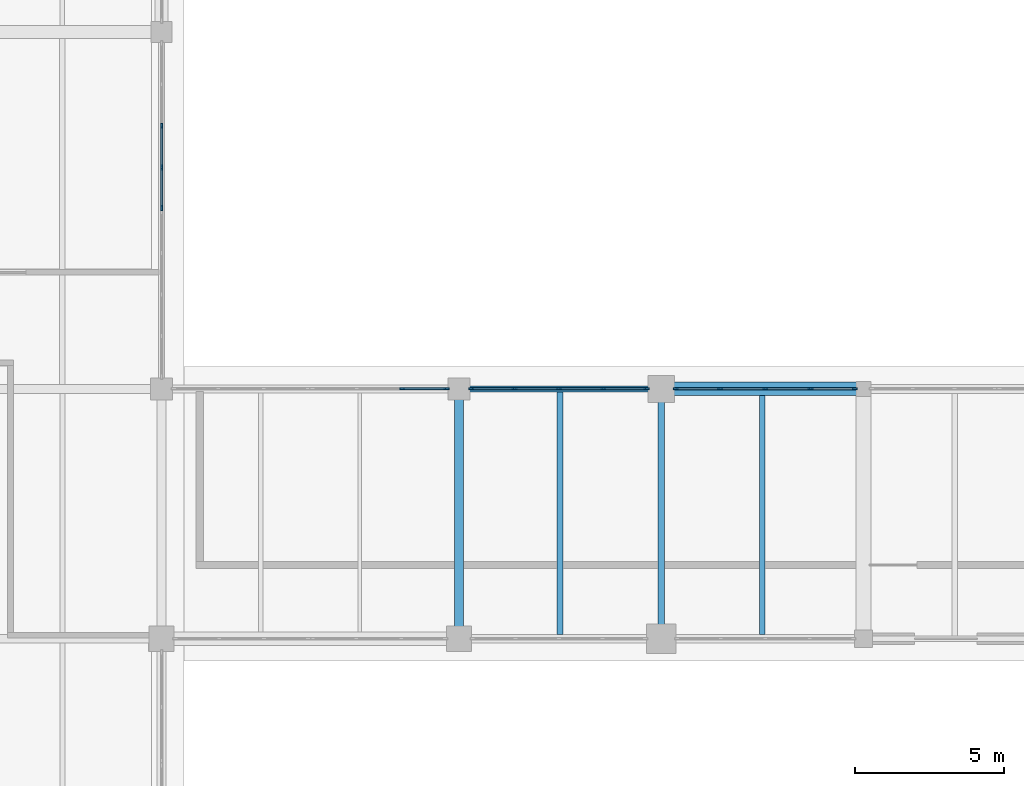
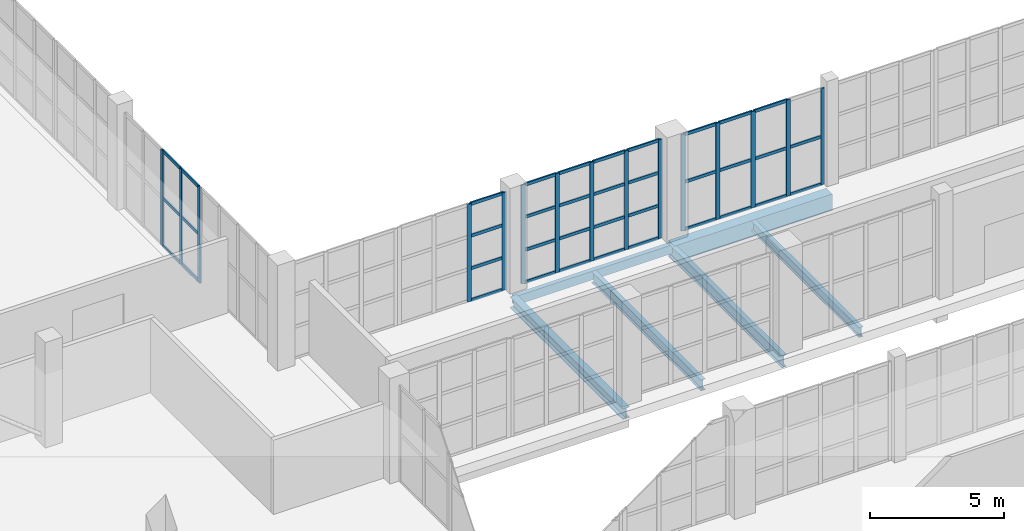
# One storey, part 52 of 121: 52 members, 6 beams, 4 elements without a shape of their own.
"""IFC4 building model written with IfcOpenShell, lengths in metres."""

from ifc_helpers import new_model, si_unit, direction, frame, origin, origin_2d, place, context, subcontext, project, spatial, rectangle, hollow_rectangle, i_section, extrude, material, layer, layer_set, material_profile, profile_set, type_object, element, aggregate, save


model = new_model("IFC4")

# Units and contexts
model_context = context("Model", 3, precision=1e-05, world=origin(), true_north=direction((0.0, 1.0)))
body_context = subcontext(model_context, "Body", "Model", "MODEL_VIEW")
ifc_project = project(units=[si_unit("LENGTHUNIT", "METRE"), si_unit("AREAUNIT", "SQUARE_METRE"), si_unit("VOLUMEUNIT", "CUBIC_METRE"), si_unit("PLANEANGLEUNIT", "RADIAN"), si_unit("MASSUNIT", "GRAM", prefix="KILO")], contexts=[model_context])

# Site, building, storey
site_placement = place(None, origin())
site = spatial("IfcSite", under=ifc_project, at=site_placement, CompositionType="ELEMENT")
building_placement = place(site_placement, origin())
building = spatial("IfcBuilding", under=site, at=building_placement, Name="Zereglee Splitstone Museum", CompositionType="ELEMENT")
storey_placement = place(building_placement, origin())
storey = spatial("IfcBuildingStorey", under=building, at=storey_placement, Name="L00", CompositionType="ELEMENT", Elevation=0.0)

# Curtain wall, members
ifc_material_1 = material(Name="Triple-glazed low-E argon glass and bronze-anodised aluminium", Category="aluminium")
ifc_layer_1 = layer(ifc_material_1, 0.179931640625)
ifc_layer_set_1 = layer_set([ifc_layer_1], Name="Triple-glazed low-E argon glass and bronze-anodised aluminium")
curtain_wall_type_1 = type_object("IfcCurtainWallType", Name="CW-0608-438", PredefinedType="USERDEFINED", material=ifc_layer_set_1)
curtain_wall_1_placement = place(storey_placement, origin())
curtain_wall_1 = element("IfcCurtainWall", 1, at=curtain_wall_1_placement, inside=storey, type_object=curtain_wall_type_1, Name="Glazed Curtain Wall CW-0608-438 (L00)", ObjectType="GLAZED CURTAIN WALL", PredefinedType="USERDEFINED")
ifc_material_2 = material(Name="Thermally broken bronze-anodised aluminium", Category="aluminium")
ifc_material_profile_1 = material_profile(ifc_material_2, rectangle(XDim=0.06494140625, YDim=0.179931640625, at=origin_2d()), Name="CW MULL 65x180")
ifc_profile_set_1 = profile_set([ifc_material_profile_1], Name="Thermally broken bronze-anodised aluminium")
member_type_1 = type_object("IfcMemberType", Name="CWM-01", PredefinedType="MULLION", material=ifc_profile_set_1)
member_1_placement = place(storey_placement, frame((228.509521484375, 38.39990234375, 0.0), z_axis=(0.0, 0.0, 1.0), x_axis=(0.0, -1.0, 0.0)))
member_1 = element("IfcMember", 2, at=member_1_placement, type_object=member_type_1, Name="CW-0608-438 mullion 1", PredefinedType="MULLION", context=body_context, shape_type="SweptSolid", body=[
    extrude(rectangle(XDim=0.06494140625, YDim=0.179931640625, at=origin_2d()), origin(), (0.0, 0.0, 1.0), 4.3798828125),
])
member_2_placement = place(storey_placement, frame((227.02099609375, 38.39990234375, 0.0), z_axis=(0.0, 0.0, 1.0), x_axis=(0.0, -1.0, 0.0)))
member_2 = element("IfcMember", 3, at=member_2_placement, type_object=member_type_1, Name="CW-0608-438 mullion 2", PredefinedType="MULLION", context=body_context, shape_type="SweptSolid", body=[
    extrude(rectangle(XDim=0.06494140625, YDim=0.179931640625, at=origin_2d()), origin(), (0.0, 0.0, 1.0), 4.3798828125),
])
member_3_placement = place(storey_placement, frame((225.5, 38.39990234375, 0.0), z_axis=(0.0, 0.0, 1.0), x_axis=(0.0, -1.0, 0.0)))
member_3 = element("IfcMember", 4, at=member_3_placement, type_object=member_type_1, Name="CW-0608-438 mullion 3", PredefinedType="MULLION", context=body_context, shape_type="SweptSolid", body=[
    extrude(rectangle(XDim=0.06494140625, YDim=0.179931640625, at=origin_2d()), origin(), (0.0, 0.0, 1.0), 4.3798828125),
])
member_4_placement = place(storey_placement, frame((223.97900390625, 38.39990234375, 0.0), z_axis=(0.0, 0.0, 1.0), x_axis=(0.0, -1.0, 0.0)))
member_4 = element("IfcMember", 5, at=member_4_placement, type_object=member_type_1, Name="CW-0608-438 mullion 4", PredefinedType="MULLION", context=body_context, shape_type="SweptSolid", body=[
    extrude(rectangle(XDim=0.06494140625, YDim=0.179931640625, at=origin_2d()), origin(), (0.0, 0.0, 1.0), 4.3798828125),
])
member_5_placement = place(storey_placement, frame((222.490478515625, 38.39990234375, 0.0), z_axis=(0.0, 0.0, 1.0), x_axis=(0.0, -1.0, 0.0)))
member_5 = element("IfcMember", 6, at=member_5_placement, type_object=member_type_1, Name="CW-0608-438 mullion 5", PredefinedType="MULLION", context=body_context, shape_type="SweptSolid", body=[
    extrude(rectangle(XDim=0.06494140625, YDim=0.179931640625, at=origin_2d()), origin(), (0.0, 0.0, 1.0), 4.3798828125),
])

ifc_layer_2 = layer(ifc_material_1, 0.179931640625)
ifc_layer_set_2 = layer_set([ifc_layer_2], Name="Triple-glazed low-E argon glass and bronze-anodised aluminium")
curtain_wall_type_2 = type_object("IfcCurtainWallType", Name="CW-0596-450", PredefinedType="USERDEFINED", material=ifc_layer_set_2)
curtain_wall_2_placement = place(storey_placement, origin())
curtain_wall_2 = element("IfcCurtainWall", 7, at=curtain_wall_2_placement, inside=storey, type_object=curtain_wall_type_2, Name="Glazed Curtain Wall CW-0596-450 (L00)", ObjectType="GLAZED CURTAIN WALL", PredefinedType="USERDEFINED")
member_6_placement = place(storey_placement, frame((221.509521484375, 38.39990234375, 0.0), z_axis=(0.0, 0.0, 1.0), x_axis=(0.0, -1.0, 0.0)))
member_6 = element("IfcMember", 8, at=member_6_placement, type_object=member_type_1, Name="CW-0596-450 mullion 1", PredefinedType="MULLION", context=body_context, shape_type="SweptSolid", body=[
    extrude(rectangle(XDim=0.06494140625, YDim=0.179931640625, at=origin_2d()), origin(), (0.0, 0.0, 1.0), 4.5),
])
member_7_placement = place(storey_placement, frame((220.05224609375, 38.39990234375, 0.0), z_axis=(0.0, 0.0, 1.0), x_axis=(0.0, -1.0, 0.0)))
member_7 = element("IfcMember", 9, at=member_7_placement, type_object=member_type_1, Name="CW-0596-450 mullion 2", PredefinedType="MULLION", context=body_context, shape_type="SweptSolid", body=[
    extrude(rectangle(XDim=0.06494140625, YDim=0.179931640625, at=origin_2d()), origin(), (0.0, 0.0, 1.0), 4.5),
])
member_8_placement = place(storey_placement, frame((218.5625, 38.39990234375, 0.0), z_axis=(0.0, 0.0, 1.0), x_axis=(0.0, -1.0, 0.0)))
member_8 = element("IfcMember", 10, at=member_8_placement, type_object=member_type_1, Name="CW-0596-450 mullion 3", PredefinedType="MULLION", context=body_context, shape_type="SweptSolid", body=[
    extrude(rectangle(XDim=0.06494140625, YDim=0.179931640625, at=origin_2d()), origin(), (0.0, 0.0, 1.0), 4.5),
])
member_9_placement = place(storey_placement, frame((217.07275390625, 38.39990234375, 0.0), z_axis=(0.0, 0.0, 1.0), x_axis=(0.0, -1.0, 0.0)))
member_9 = element("IfcMember", 11, at=member_9_placement, type_object=member_type_1, Name="CW-0596-450 mullion 4", PredefinedType="MULLION", context=body_context, shape_type="SweptSolid", body=[
    extrude(rectangle(XDim=0.06494140625, YDim=0.179931640625, at=origin_2d()), origin(), (0.0, 0.0, 1.0), 4.5),
])
member_10_placement = place(storey_placement, frame((215.615478515625, 38.39990234375, 0.0), z_axis=(0.0, 0.0, 1.0), x_axis=(0.0, -1.0, 0.0)))
member_10 = element("IfcMember", 12, at=member_10_placement, type_object=member_type_1, Name="CW-0596-450 mullion 5", PredefinedType="MULLION", context=body_context, shape_type="SweptSolid", body=[
    extrude(rectangle(XDim=0.06494140625, YDim=0.179931640625, at=origin_2d()), origin(), (0.0, 0.0, 1.0), 4.5),
])

ifc_layer_3 = layer(ifc_material_1, 0.179931640625)
ifc_layer_set_3 = layer_set([ifc_layer_3], Name="Triple-glazed low-E argon glass and bronze-anodised aluminium")
curtain_wall_type_3 = type_object("IfcCurtainWallType", Name="CW-0458-444", PredefinedType="USERDEFINED", material=ifc_layer_set_3)
curtain_wall_3_placement = place(storey_placement, origin())
curtain_wall_3 = element("IfcCurtainWall", 13, at=curtain_wall_3_placement, inside=storey, type_object=curtain_wall_type_3, Name="Glazed Curtain Wall CW-0458-444 (L00)", ObjectType="GLAZED CURTAIN WALL", PredefinedType="USERDEFINED")
member_11_placement = place(storey_placement, frame((214.784423828125, 38.39990234375, 0.0), z_axis=(0.0, 0.0, 1.0), x_axis=(0.0, -1.0, 0.0)))
member_11 = element("IfcMember", 14, at=member_11_placement, type_object=member_type_1, Name="CW-0458-444 mullion 1", PredefinedType="MULLION", context=body_context, shape_type="SweptSolid", body=[
    extrude(rectangle(XDim=0.06494140625, YDim=0.179931640625, at=origin_2d()), origin(), (0.0, 0.0, 1.0), 4.43994140625),
])
member_12_placement = place(storey_placement, frame((213.291259765625, 38.39990234375, 0.0), z_axis=(0.0, 0.0, 1.0), x_axis=(0.0, -1.0, 0.0)))
member_12 = element("IfcMember", 15, at=member_12_placement, type_object=member_type_1, Name="CW-0458-444 mullion 2", PredefinedType="MULLION", context=body_context, shape_type="SweptSolid", body=[
    extrude(rectangle(XDim=0.06494140625, YDim=0.179931640625, at=origin_2d()), origin(), (0.0, 0.0, 1.0), 4.43994140625),
])

ifc_layer_4 = layer(ifc_material_1, 0.179931640625)
ifc_layer_set_4 = layer_set([ifc_layer_4], Name="Triple-glazed low-E argon glass and bronze-anodised aluminium")
curtain_wall_type_4 = type_object("IfcCurtainWallType", Name="CW-0559-436", PredefinedType="USERDEFINED", material=ifc_layer_set_4)
curtain_wall_4_placement = place(storey_placement, origin())
curtain_wall_4 = element("IfcCurtainWall", 16, at=curtain_wall_4_placement, inside=storey, type_object=curtain_wall_type_4, Name="Glazed Curtain Wall CW-0559-436 (L00)", ObjectType="GLAZED CURTAIN WALL", PredefinedType="USERDEFINED")
member_13_placement = place(storey_placement, frame((205.199951171875, 44.485107421875, 0.0), z_axis=(0.0, 0.0, 1.0), x_axis=(-1.0, 0.0, 0.0)))
member_13 = element("IfcMember", 17, at=member_13_placement, type_object=member_type_1, Name="CW-0559-436 mullion 1", PredefinedType="MULLION", context=body_context, shape_type="SweptSolid", body=[
    extrude(rectangle(XDim=0.06494140625, YDim=0.179931640625, at=origin_2d()), origin(), (0.0, 0.0, 1.0), 4.360107421875),
])
member_14_placement = place(storey_placement, frame((205.199951171875, 45.849853515625, 0.0), z_axis=(0.0, 0.0, 1.0), x_axis=(-1.0, 0.0, 0.0)))
member_14 = element("IfcMember", 18, at=member_14_placement, type_object=member_type_1, Name="CW-0559-436 mullion 2", PredefinedType="MULLION", context=body_context, shape_type="SweptSolid", body=[
    extrude(rectangle(XDim=0.06494140625, YDim=0.179931640625, at=origin_2d()), origin(), (0.0, 0.0, 1.0), 4.360107421875),
])
member_15_placement = place(storey_placement, frame((205.199951171875, 47.247314453125, 0.0), z_axis=(0.0, 0.0, 1.0), x_axis=(-1.0, 0.0, 0.0)))
member_15 = element("IfcMember", 19, at=member_15_placement, type_object=member_type_1, Name="CW-0559-436 mullion 3", PredefinedType="MULLION", context=body_context, shape_type="SweptSolid", body=[
    extrude(rectangle(XDim=0.06494140625, YDim=0.179931640625, at=origin_2d()), origin(), (0.0, 0.0, 1.0), 4.360107421875),
])

# Member
ifc_material_profile_2 = material_profile(ifc_material_2, rectangle(XDim=0.06494140625, YDim=0.139892578125, at=origin_2d()), Name="CW TRAN 65x140")
ifc_profile_set_2 = profile_set([ifc_material_profile_2], Name="Thermally broken bronze-anodised aluminium")
member_type_2 = type_object("IfcMemberType", Name="CWT-01", PredefinedType="USERDEFINED", material=ifc_profile_set_2)
member_16_placement = place(storey_placement, frame((228.47705078125, 38.39990234375, 0.032470703125), z_axis=(-1.0, 0.0, 0.0), x_axis=(0.0, -1.0, 0.0)))
member_16 = element("IfcMember", 20, at=member_16_placement, type_object=member_type_2, Name="CW-0608-438 transom 1.1", ObjectType="TRANSOM", PredefinedType="USERDEFINED", context=body_context, shape_type="SweptSolid", body=[
    extrude(rectangle(XDim=0.06494140625, YDim=0.139892578125, at=origin_2d()), origin(), (0.0, 0.0, 1.0), 1.423583984375),
])

member_17_placement = place(storey_placement, frame((228.47705078125, 38.39990234375, 2.18994140625), z_axis=(-1.0, 0.0, 0.0), x_axis=(0.0, -1.0, 0.0)))
member_17 = element("IfcMember", 21, at=member_17_placement, type_object=member_type_2, Name="CW-0608-438 transom 1.2", ObjectType="TRANSOM", PredefinedType="USERDEFINED", context=body_context, shape_type="SweptSolid", body=[
    extrude(rectangle(XDim=0.06494140625, YDim=0.139892578125, at=origin_2d()), origin(), (0.0, 0.0, 1.0), 1.423583984375),
])

member_18_placement = place(storey_placement, frame((226.988525390625, 38.39990234375, 0.032470703125), z_axis=(-1.0, 0.0, 0.0), x_axis=(0.0, -1.0, 0.0)))
member_18 = element("IfcMember", 22, at=member_18_placement, type_object=member_type_2, Name="CW-0608-438 transom 2.1", ObjectType="TRANSOM", PredefinedType="USERDEFINED", context=body_context, shape_type="SweptSolid", body=[
    extrude(rectangle(XDim=0.06494140625, YDim=0.139892578125, at=origin_2d()), origin(), (0.0, 0.0, 1.0), 1.4560546875),
])

member_19_placement = place(storey_placement, frame((226.988525390625, 38.39990234375, 2.18994140625), z_axis=(-1.0, 0.0, 0.0), x_axis=(0.0, -1.0, 0.0)))
member_19 = element("IfcMember", 23, at=member_19_placement, type_object=member_type_2, Name="CW-0608-438 transom 2.2", ObjectType="TRANSOM", PredefinedType="USERDEFINED", context=body_context, shape_type="SweptSolid", body=[
    extrude(rectangle(XDim=0.06494140625, YDim=0.139892578125, at=origin_2d()), origin(), (0.0, 0.0, 1.0), 1.4560546875),
])

member_20_placement = place(storey_placement, frame((226.988525390625, 38.39990234375, 4.347412109375), z_axis=(-1.0, 0.0, 0.0), x_axis=(0.0, -1.0, 0.0)))
member_20 = element("IfcMember", 24, at=member_20_placement, type_object=member_type_2, Name="CW-0608-438 transom 2.3", ObjectType="TRANSOM", PredefinedType="USERDEFINED", context=body_context, shape_type="SweptSolid", body=[
    extrude(rectangle(XDim=0.06494140625, YDim=0.139892578125, at=origin_2d()), origin(), (0.0, 0.0, 1.0), 1.4560546875),
])

member_21_placement = place(storey_placement, frame((225.467529296875, 38.39990234375, 0.032470703125), z_axis=(-1.0, 0.0, 0.0), x_axis=(0.0, -1.0, 0.0)))
member_21 = element("IfcMember", 25, at=member_21_placement, type_object=member_type_2, Name="CW-0608-438 transom 3.1", ObjectType="TRANSOM", PredefinedType="USERDEFINED", context=body_context, shape_type="SweptSolid", body=[
    extrude(rectangle(XDim=0.06494140625, YDim=0.139892578125, at=origin_2d()), origin(), (0.0, 0.0, 1.0), 1.4560546875),
])

member_22_placement = place(storey_placement, frame((225.467529296875, 38.39990234375, 2.18994140625), z_axis=(-1.0, 0.0, 0.0), x_axis=(0.0, -1.0, 0.0)))
member_22 = element("IfcMember", 26, at=member_22_placement, type_object=member_type_2, Name="CW-0608-438 transom 3.2", ObjectType="TRANSOM", PredefinedType="USERDEFINED", context=body_context, shape_type="SweptSolid", body=[
    extrude(rectangle(XDim=0.06494140625, YDim=0.139892578125, at=origin_2d()), origin(), (0.0, 0.0, 1.0), 1.4560546875),
])

member_23_placement = place(storey_placement, frame((225.467529296875, 38.39990234375, 4.347412109375), z_axis=(-1.0, 0.0, 0.0), x_axis=(0.0, -1.0, 0.0)))
member_23 = element("IfcMember", 27, at=member_23_placement, type_object=member_type_2, Name="CW-0608-438 transom 3.3", ObjectType="TRANSOM", PredefinedType="USERDEFINED", context=body_context, shape_type="SweptSolid", body=[
    extrude(rectangle(XDim=0.06494140625, YDim=0.139892578125, at=origin_2d()), origin(), (0.0, 0.0, 1.0), 1.4560546875),
])

member_24_placement = place(storey_placement, frame((223.946533203125, 38.39990234375, 0.032470703125), z_axis=(-1.0, 0.0, 0.0), x_axis=(0.0, -1.0, 0.0)))
member_24 = element("IfcMember", 28, at=member_24_placement, type_object=member_type_2, Name="CW-0608-438 transom 4.1", ObjectType="TRANSOM", PredefinedType="USERDEFINED", context=body_context, shape_type="SweptSolid", body=[
    extrude(rectangle(XDim=0.06494140625, YDim=0.139892578125, at=origin_2d()), origin(), (0.0, 0.0, 1.0), 1.423583984375),
])

member_25_placement = place(storey_placement, frame((223.946533203125, 38.39990234375, 2.18994140625), z_axis=(-1.0, 0.0, 0.0), x_axis=(0.0, -1.0, 0.0)))
member_25 = element("IfcMember", 29, at=member_25_placement, type_object=member_type_2, Name="CW-0608-438 transom 4.2", ObjectType="TRANSOM", PredefinedType="USERDEFINED", context=body_context, shape_type="SweptSolid", body=[
    extrude(rectangle(XDim=0.06494140625, YDim=0.139892578125, at=origin_2d()), origin(), (0.0, 0.0, 1.0), 1.423583984375),
])

member_26_placement = place(storey_placement, frame((223.946533203125, 38.39990234375, 4.347412109375), z_axis=(-1.0, 0.0, 0.0), x_axis=(0.0, -1.0, 0.0)))
member_26 = element("IfcMember", 30, at=member_26_placement, type_object=member_type_2, Name="CW-0608-438 transom 4.3", ObjectType="TRANSOM", PredefinedType="USERDEFINED", context=body_context, shape_type="SweptSolid", body=[
    extrude(rectangle(XDim=0.06494140625, YDim=0.139892578125, at=origin_2d()), origin(), (0.0, 0.0, 1.0), 1.423583984375),
])

aggregate(curtain_wall_1, [member_1, member_2, member_3, member_4, member_5, member_16, member_17, member_18, member_19, member_20, member_21, member_22, member_23, member_24, member_25, member_26])

member_27_placement = place(storey_placement, frame((221.47705078125, 38.39990234375, 0.032470703125), z_axis=(-1.0, 0.0, 0.0), x_axis=(0.0, -1.0, 0.0)))
member_27 = element("IfcMember", 31, at=member_27_placement, type_object=member_type_2, Name="CW-0596-450 transom 1.1", ObjectType="TRANSOM", PredefinedType="USERDEFINED", context=body_context, shape_type="SweptSolid", body=[
    extrude(rectangle(XDim=0.06494140625, YDim=0.139892578125, at=origin_2d()), origin(), (0.0, 0.0, 1.0), 1.392333984375),
])

member_28_placement = place(storey_placement, frame((221.47705078125, 38.39990234375, 1.5), z_axis=(-1.0, 0.0, 0.0), x_axis=(0.0, -1.0, 0.0)))
member_28 = element("IfcMember", 32, at=member_28_placement, type_object=member_type_2, Name="CW-0596-450 transom 1.2", ObjectType="TRANSOM", PredefinedType="USERDEFINED", context=body_context, shape_type="SweptSolid", body=[
    extrude(rectangle(XDim=0.06494140625, YDim=0.139892578125, at=origin_2d()), origin(), (0.0, 0.0, 1.0), 1.392333984375),
])

member_29_placement = place(storey_placement, frame((221.47705078125, 38.39990234375, 3.0), z_axis=(-1.0, 0.0, 0.0), x_axis=(0.0, -1.0, 0.0)))
member_29 = element("IfcMember", 33, at=member_29_placement, type_object=member_type_2, Name="CW-0596-450 transom 1.3", ObjectType="TRANSOM", PredefinedType="USERDEFINED", context=body_context, shape_type="SweptSolid", body=[
    extrude(rectangle(XDim=0.06494140625, YDim=0.139892578125, at=origin_2d()), origin(), (0.0, 0.0, 1.0), 1.392333984375),
])

member_30_placement = place(storey_placement, frame((221.47705078125, 38.39990234375, 4.467529296875), z_axis=(-1.0, 0.0, 0.0), x_axis=(0.0, -1.0, 0.0)))
member_30 = element("IfcMember", 34, at=member_30_placement, type_object=member_type_2, Name="CW-0596-450 transom 1.4", ObjectType="TRANSOM", PredefinedType="USERDEFINED", context=body_context, shape_type="SweptSolid", body=[
    extrude(rectangle(XDim=0.06494140625, YDim=0.139892578125, at=origin_2d()), origin(), (0.0, 0.0, 1.0), 1.392333984375),
])

member_31_placement = place(storey_placement, frame((220.019775390625, 38.39990234375, 0.032470703125), z_axis=(-1.0, 0.0, 0.0), x_axis=(0.0, -1.0, 0.0)))
member_31 = element("IfcMember", 35, at=member_31_placement, type_object=member_type_2, Name="CW-0596-450 transom 2.1", ObjectType="TRANSOM", PredefinedType="USERDEFINED", context=body_context, shape_type="SweptSolid", body=[
    extrude(rectangle(XDim=0.06494140625, YDim=0.139892578125, at=origin_2d()), origin(), (0.0, 0.0, 1.0), 1.4248046875),
])

member_32_placement = place(storey_placement, frame((220.019775390625, 38.39990234375, 1.5), z_axis=(-1.0, 0.0, 0.0), x_axis=(0.0, -1.0, 0.0)))
member_32 = element("IfcMember", 36, at=member_32_placement, type_object=member_type_2, Name="CW-0596-450 transom 2.2", ObjectType="TRANSOM", PredefinedType="USERDEFINED", context=body_context, shape_type="SweptSolid", body=[
    extrude(rectangle(XDim=0.06494140625, YDim=0.139892578125, at=origin_2d()), origin(), (0.0, 0.0, 1.0), 1.4248046875),
])

member_33_placement = place(storey_placement, frame((220.019775390625, 38.39990234375, 3.0), z_axis=(-1.0, 0.0, 0.0), x_axis=(0.0, -1.0, 0.0)))
member_33 = element("IfcMember", 37, at=member_33_placement, type_object=member_type_2, Name="CW-0596-450 transom 2.3", ObjectType="TRANSOM", PredefinedType="USERDEFINED", context=body_context, shape_type="SweptSolid", body=[
    extrude(rectangle(XDim=0.06494140625, YDim=0.139892578125, at=origin_2d()), origin(), (0.0, 0.0, 1.0), 1.4248046875),
])

member_34_placement = place(storey_placement, frame((220.019775390625, 38.39990234375, 4.467529296875), z_axis=(-1.0, 0.0, 0.0), x_axis=(0.0, -1.0, 0.0)))
member_34 = element("IfcMember", 38, at=member_34_placement, type_object=member_type_2, Name="CW-0596-450 transom 2.4", ObjectType="TRANSOM", PredefinedType="USERDEFINED", context=body_context, shape_type="SweptSolid", body=[
    extrude(rectangle(XDim=0.06494140625, YDim=0.139892578125, at=origin_2d()), origin(), (0.0, 0.0, 1.0), 1.4248046875),
])

member_35_placement = place(storey_placement, frame((218.530029296875, 38.39990234375, 0.032470703125), z_axis=(-1.0, 0.0, 0.0), x_axis=(0.0, -1.0, 0.0)))
member_35 = element("IfcMember", 39, at=member_35_placement, type_object=member_type_2, Name="CW-0596-450 transom 3.1", ObjectType="TRANSOM", PredefinedType="USERDEFINED", context=body_context, shape_type="SweptSolid", body=[
    extrude(rectangle(XDim=0.06494140625, YDim=0.139892578125, at=origin_2d()), origin(), (0.0, 0.0, 1.0), 1.4248046875),
])

member_36_placement = place(storey_placement, frame((218.530029296875, 38.39990234375, 1.5), z_axis=(-1.0, 0.0, 0.0), x_axis=(0.0, -1.0, 0.0)))
member_36 = element("IfcMember", 40, at=member_36_placement, type_object=member_type_2, Name="CW-0596-450 transom 3.2", ObjectType="TRANSOM", PredefinedType="USERDEFINED", context=body_context, shape_type="SweptSolid", body=[
    extrude(rectangle(XDim=0.06494140625, YDim=0.139892578125, at=origin_2d()), origin(), (0.0, 0.0, 1.0), 1.4248046875),
])

member_37_placement = place(storey_placement, frame((218.530029296875, 38.39990234375, 3.0), z_axis=(-1.0, 0.0, 0.0), x_axis=(0.0, -1.0, 0.0)))
member_37 = element("IfcMember", 41, at=member_37_placement, type_object=member_type_2, Name="CW-0596-450 transom 3.3", ObjectType="TRANSOM", PredefinedType="USERDEFINED", context=body_context, shape_type="SweptSolid", body=[
    extrude(rectangle(XDim=0.06494140625, YDim=0.139892578125, at=origin_2d()), origin(), (0.0, 0.0, 1.0), 1.4248046875),
])

member_38_placement = place(storey_placement, frame((218.530029296875, 38.39990234375, 4.467529296875), z_axis=(-1.0, 0.0, 0.0), x_axis=(0.0, -1.0, 0.0)))
member_38 = element("IfcMember", 42, at=member_38_placement, type_object=member_type_2, Name="CW-0596-450 transom 3.4", ObjectType="TRANSOM", PredefinedType="USERDEFINED", context=body_context, shape_type="SweptSolid", body=[
    extrude(rectangle(XDim=0.06494140625, YDim=0.139892578125, at=origin_2d()), origin(), (0.0, 0.0, 1.0), 1.4248046875),
])

member_39_placement = place(storey_placement, frame((217.040283203125, 38.39990234375, 0.032470703125), z_axis=(-1.0, 0.0, 0.0), x_axis=(0.0, -1.0, 0.0)))
member_39 = element("IfcMember", 43, at=member_39_placement, type_object=member_type_2, Name="CW-0596-450 transom 4.1", ObjectType="TRANSOM", PredefinedType="USERDEFINED", context=body_context, shape_type="SweptSolid", body=[
    extrude(rectangle(XDim=0.06494140625, YDim=0.139892578125, at=origin_2d()), origin(), (0.0, 0.0, 1.0), 1.392333984375),
])

member_40_placement = place(storey_placement, frame((217.040283203125, 38.39990234375, 1.5), z_axis=(-1.0, 0.0, 0.0), x_axis=(0.0, -1.0, 0.0)))
member_40 = element("IfcMember", 44, at=member_40_placement, type_object=member_type_2, Name="CW-0596-450 transom 4.2", ObjectType="TRANSOM", PredefinedType="USERDEFINED", context=body_context, shape_type="SweptSolid", body=[
    extrude(rectangle(XDim=0.06494140625, YDim=0.139892578125, at=origin_2d()), origin(), (0.0, 0.0, 1.0), 1.392333984375),
])

member_41_placement = place(storey_placement, frame((217.040283203125, 38.39990234375, 3.0), z_axis=(-1.0, 0.0, 0.0), x_axis=(0.0, -1.0, 0.0)))
member_41 = element("IfcMember", 45, at=member_41_placement, type_object=member_type_2, Name="CW-0596-450 transom 4.3", ObjectType="TRANSOM", PredefinedType="USERDEFINED", context=body_context, shape_type="SweptSolid", body=[
    extrude(rectangle(XDim=0.06494140625, YDim=0.139892578125, at=origin_2d()), origin(), (0.0, 0.0, 1.0), 1.392333984375),
])

member_42_placement = place(storey_placement, frame((217.040283203125, 38.39990234375, 4.467529296875), z_axis=(-1.0, 0.0, 0.0), x_axis=(0.0, -1.0, 0.0)))
member_42 = element("IfcMember", 46, at=member_42_placement, type_object=member_type_2, Name="CW-0596-450 transom 4.4", ObjectType="TRANSOM", PredefinedType="USERDEFINED", context=body_context, shape_type="SweptSolid", body=[
    extrude(rectangle(XDim=0.06494140625, YDim=0.139892578125, at=origin_2d()), origin(), (0.0, 0.0, 1.0), 1.392333984375),
])

aggregate(curtain_wall_2, [member_6, member_7, member_8, member_9, member_10, member_27, member_28, member_29, member_30, member_31, member_32, member_33, member_34, member_35, member_36, member_37, member_38, member_39, member_40, member_41, member_42])

member_43_placement = place(storey_placement, frame((214.751953125, 38.39990234375, 0.032470703125), z_axis=(-1.0, 0.0, 0.0), x_axis=(0.0, -1.0, 0.0)))
member_43 = element("IfcMember", 47, at=member_43_placement, type_object=member_type_2, Name="CW-0458-444 transom 1.1", ObjectType="TRANSOM", PredefinedType="USERDEFINED", context=body_context, shape_type="SweptSolid", body=[
    extrude(rectangle(XDim=0.06494140625, YDim=0.139892578125, at=origin_2d()), origin(), (0.0, 0.0, 1.0), 1.42822265625),
])

member_44_placement = place(storey_placement, frame((214.751953125, 38.39990234375, 1.47998046875), z_axis=(-1.0, 0.0, 0.0), x_axis=(0.0, -1.0, 0.0)))
member_44 = element("IfcMember", 48, at=member_44_placement, type_object=member_type_2, Name="CW-0458-444 transom 1.2", ObjectType="TRANSOM", PredefinedType="USERDEFINED", context=body_context, shape_type="SweptSolid", body=[
    extrude(rectangle(XDim=0.06494140625, YDim=0.139892578125, at=origin_2d()), origin(), (0.0, 0.0, 1.0), 1.42822265625),
])

member_45_placement = place(storey_placement, frame((214.751953125, 38.39990234375, 2.9599609375), z_axis=(-1.0, 0.0, 0.0), x_axis=(0.0, -1.0, 0.0)))
member_45 = element("IfcMember", 49, at=member_45_placement, type_object=member_type_2, Name="CW-0458-444 transom 1.3", ObjectType="TRANSOM", PredefinedType="USERDEFINED", context=body_context, shape_type="SweptSolid", body=[
    extrude(rectangle(XDim=0.06494140625, YDim=0.139892578125, at=origin_2d()), origin(), (0.0, 0.0, 1.0), 1.42822265625),
])

member_46_placement = place(storey_placement, frame((214.751953125, 38.39990234375, 4.407470703125), z_axis=(-1.0, 0.0, 0.0), x_axis=(0.0, -1.0, 0.0)))
member_46 = element("IfcMember", 50, at=member_46_placement, type_object=member_type_2, Name="CW-0458-444 transom 1.4", ObjectType="TRANSOM", PredefinedType="USERDEFINED", context=body_context, shape_type="SweptSolid", body=[
    extrude(rectangle(XDim=0.06494140625, YDim=0.139892578125, at=origin_2d()), origin(), (0.0, 0.0, 1.0), 1.42822265625),
])

aggregate(curtain_wall_3, [member_11, member_12, member_43, member_44, member_45, member_46])

member_47_placement = place(storey_placement, frame((205.199951171875, 44.517578125, 0.032470703125), z_axis=(0.0, 1.0, 0.0), x_axis=(-1.0, 0.0, 0.0)))
member_47 = element("IfcMember", 51, at=member_47_placement, type_object=member_type_2, Name="CW-0559-436 transom 1.1", ObjectType="TRANSOM", PredefinedType="USERDEFINED", context=body_context, shape_type="SweptSolid", body=[
    extrude(rectangle(XDim=0.06494140625, YDim=0.139892578125, at=origin_2d()), origin(), (0.0, 0.0, 1.0), 1.2998046875),
])

member_48_placement = place(storey_placement, frame((205.199951171875, 44.517578125, 2.179931640625), z_axis=(0.0, 1.0, 0.0), x_axis=(-1.0, 0.0, 0.0)))
member_48 = element("IfcMember", 52, at=member_48_placement, type_object=member_type_2, Name="CW-0559-436 transom 1.2", ObjectType="TRANSOM", PredefinedType="USERDEFINED", context=body_context, shape_type="SweptSolid", body=[
    extrude(rectangle(XDim=0.06494140625, YDim=0.139892578125, at=origin_2d()), origin(), (0.0, 0.0, 1.0), 1.2998046875),
])

member_49_placement = place(storey_placement, frame((205.199951171875, 44.517578125, 4.327392578125), z_axis=(0.0, 1.0, 0.0), x_axis=(-1.0, 0.0, 0.0)))
member_49 = element("IfcMember", 53, at=member_49_placement, type_object=member_type_2, Name="CW-0559-436 transom 1.3", ObjectType="TRANSOM", PredefinedType="USERDEFINED", context=body_context, shape_type="SweptSolid", body=[
    extrude(rectangle(XDim=0.06494140625, YDim=0.139892578125, at=origin_2d()), origin(), (0.0, 0.0, 1.0), 1.2998046875),
])

member_50_placement = place(storey_placement, frame((205.199951171875, 45.88232421875, 0.032470703125), z_axis=(0.0, 1.0, 0.0), x_axis=(-1.0, 0.0, 0.0)))
member_50 = element("IfcMember", 54, at=member_50_placement, type_object=member_type_2, Name="CW-0559-436 transom 2.1", ObjectType="TRANSOM", PredefinedType="USERDEFINED", context=body_context, shape_type="SweptSolid", body=[
    extrude(rectangle(XDim=0.06494140625, YDim=0.139892578125, at=origin_2d()), origin(), (0.0, 0.0, 1.0), 1.33251953125),
])

member_51_placement = place(storey_placement, frame((205.199951171875, 45.88232421875, 2.179931640625), z_axis=(0.0, 1.0, 0.0), x_axis=(-1.0, 0.0, 0.0)))
member_51 = element("IfcMember", 55, at=member_51_placement, type_object=member_type_2, Name="CW-0559-436 transom 2.2", ObjectType="TRANSOM", PredefinedType="USERDEFINED", context=body_context, shape_type="SweptSolid", body=[
    extrude(rectangle(XDim=0.06494140625, YDim=0.139892578125, at=origin_2d()), origin(), (0.0, 0.0, 1.0), 1.33251953125),
])

member_52_placement = place(storey_placement, frame((205.199951171875, 45.88232421875, 4.327392578125), z_axis=(0.0, 1.0, 0.0), x_axis=(-1.0, 0.0, 0.0)))
member_52 = element("IfcMember", 56, at=member_52_placement, type_object=member_type_2, Name="CW-0559-436 transom 2.3", ObjectType="TRANSOM", PredefinedType="USERDEFINED", context=body_context, shape_type="SweptSolid", body=[
    extrude(rectangle(XDim=0.06494140625, YDim=0.139892578125, at=origin_2d()), origin(), (0.0, 0.0, 1.0), 1.33251953125),
])

aggregate(curtain_wall_4, [member_13, member_14, member_15, member_47, member_48, member_49, member_50, member_51, member_52])

# Beams
ifc_material_3 = material(Name="Steel S355J2", Category="steel")
ifc_material_profile_3 = material_profile(ifc_material_3, i_section(OverallWidth=0.300048828125, OverallDepth=0.5, WebThickness=0.014404296875, FlangeThickness=0.028076171875, FilletRadius=0.027099609375, at=origin_2d()), Name="HE 500 B")
ifc_profile_set_3 = profile_set([ifc_material_profile_3], Name="Steel S355J2")
beam_type_1 = type_object("IfcBeamType", Name="BG-12", PredefinedType="BEAM", material=ifc_profile_set_3)
beam_1_placement = place(storey_placement, frame((215.199951171875, 30.0, -0.669921875), z_axis=(0.0, 1.0, 0.0), x_axis=(-1.0, 0.0, 0.0)))
element("IfcBeam", 57, at=beam_1_placement, inside=storey, type_object=beam_type_1, Name="Primary Girder L00 24 (30.0-38.4)", PredefinedType="BEAM", context=body_context, shape_type="SweptSolid", body=[
    extrude(i_section(OverallWidth=0.300048828125, OverallDepth=0.5, WebThickness=0.014404296875, FlangeThickness=0.028076171875, FilletRadius=0.027099609375, at=origin_2d()), origin(), (0.0, 0.0, 1.0), 8.39990234375),
])
ifc_material_profile_4 = material_profile(ifc_material_3, i_section(OverallWidth=0.2099609375, OverallDepth=0.550048828125, WebThickness=0.010986328125, FlangeThickness=0.01708984375, FilletRadius=0.02392578125, at=origin_2d()), Name="IPE 550")
ifc_profile_set_4 = profile_set([ifc_material_profile_4], Name="Steel S355J2")
beam_type_2 = type_object("IfcBeamType", Name="BG-16", PredefinedType="BEAM", material=ifc_profile_set_4)
beam_2_placement = place(storey_placement, frame((222.0, 30.0, -0.695068359375), z_axis=(0.0, 1.0, 0.0), x_axis=(-1.0, 0.0, 0.0)))
element("IfcBeam", 58, at=beam_2_placement, inside=storey, type_object=beam_type_2, Name="Primary Girder L00 25 (30.0-38.4)", PredefinedType="BEAM", context=body_context, shape_type="SweptSolid", body=[
    extrude(i_section(OverallWidth=0.2099609375, OverallDepth=0.550048828125, WebThickness=0.010986328125, FlangeThickness=0.01708984375, FilletRadius=0.02392578125, at=origin_2d()), origin(), (0.0, 0.0, 1.0), 8.39990234375),
])
ifc_material_profile_5 = material_profile(ifc_material_3, i_section(OverallWidth=0.18994140625, OverallDepth=0.449951171875, WebThickness=0.009521484375, FlangeThickness=0.0146484375, FilletRadius=0.02099609375, at=origin_2d()), Name="IPE 450")
ifc_profile_set_5 = profile_set([ifc_material_profile_5], Name="Steel S355J2")
beam_type_3 = type_object("IfcBeamType", Name="BJ-02", PredefinedType="JOIST", material=ifc_profile_set_5)
beam_3_placement = place(storey_placement, frame((225.39990234375, 30.139892578125, -0.64501953125), z_axis=(0.0, 1.0, 0.0), x_axis=(-1.0, 0.0, 0.0)))
element("IfcBeam", 59, at=beam_3_placement, inside=storey, type_object=beam_type_3, Name="Secondary Floor Joist L00-0372", PredefinedType="JOIST", context=body_context, shape_type="SweptSolid", body=[
    extrude(i_section(OverallWidth=0.18994140625, OverallDepth=0.449951171875, WebThickness=0.009521484375, FlangeThickness=0.0146484375, FilletRadius=0.02099609375, at=origin_2d()), origin(), (0.0, 0.0, 1.0), 8.03515625),
])
ifc_material_profile_6 = material_profile(ifc_material_3, i_section(OverallWidth=0.199951171875, OverallDepth=0.5, WebThickness=0.01025390625, FlangeThickness=0.01611328125, FilletRadius=0.02099609375, at=origin_2d()), Name="IPE 500")
ifc_profile_set_6 = profile_set([ifc_material_profile_6], Name="Steel S355J2")
beam_type_4 = type_object("IfcBeamType", Name="BJ-01", PredefinedType="JOIST", material=ifc_profile_set_6)
beam_4_placement = place(storey_placement, frame((218.60009765625, 30.14990234375, -0.669921875), z_axis=(0.0, 1.0, 0.0), x_axis=(-1.0, 0.0, 0.0)))
element("IfcBeam", 60, at=beam_4_placement, inside=storey, type_object=beam_type_4, Name="Secondary Floor Joist L00-0371", PredefinedType="JOIST", context=body_context, shape_type="SweptSolid", body=[
    extrude(i_section(OverallWidth=0.199951171875, OverallDepth=0.5, WebThickness=0.01025390625, FlangeThickness=0.01611328125, FilletRadius=0.02099609375, at=origin_2d()), origin(), (0.0, 0.0, 1.0), 8.150146484375),
])
ifc_material_4 = material(Name="Concrete C40/50", Category="concrete")
ifc_material_profile_7 = material_profile(ifc_material_4, rectangle(XDim=0.449951171875, YDim=0.75, at=origin_2d()), Name="RC 450x750")
ifc_profile_set_7 = profile_set([ifc_material_profile_7], Name="Concrete C40/50")
beam_type_5 = type_object("IfcBeamType", Name="SP-01", PredefinedType="SPANDREL", material=ifc_profile_set_7)
beam_5_placement = place(storey_placement, frame((222.0, 38.39990234375, -0.794921875), z_axis=(1.0, 0.0, 0.0), x_axis=(0.0, 1.0, 0.0)))
element("IfcBeam", 61, at=beam_5_placement, inside=storey, type_object=beam_type_5, Name="Primary Girder L00 E (222.0-228.8)", PredefinedType="SPANDREL", context=body_context, shape_type="SweptSolid", body=[
    extrude(rectangle(XDim=0.449951171875, YDim=0.75, at=origin_2d()), origin(), (0.0, 0.0, 1.0), 6.800048828125),
])
ifc_material_5 = material(Name="Steel S355J2H", Category="steel")
ifc_material_profile_8 = material_profile(ifc_material_5, hollow_rectangle(XDim=0.199951171875, YDim=0.39990234375, WallThickness=0.01611328125, at=origin_2d()), Name="RHS 400x200x16")
ifc_profile_set_8 = profile_set([ifc_material_profile_8], Name="Steel S355J2H")
beam_type_6 = type_object("IfcBeamType", Name="SP-04", PredefinedType="SPANDREL", material=ifc_profile_set_8)
beam_6_placement = place(storey_placement, frame((215.199951171875, 38.39990234375, -0.6201171875), z_axis=(1.0, 0.0, 0.0), x_axis=(0.0, 1.0, 0.0)))
element("IfcBeam", 62, at=beam_6_placement, inside=storey, type_object=beam_type_6, Name="Primary Girder L00 E (215.2-222.0)", PredefinedType="SPANDREL", context=body_context, shape_type="SweptSolid", body=[
    extrude(hollow_rectangle(XDim=0.199951171875, YDim=0.39990234375, WallThickness=0.01611328125, at=origin_2d()), origin(), (0.0, 0.0, 1.0), 6.800048828125),
])

save(model, "model.ifc")
